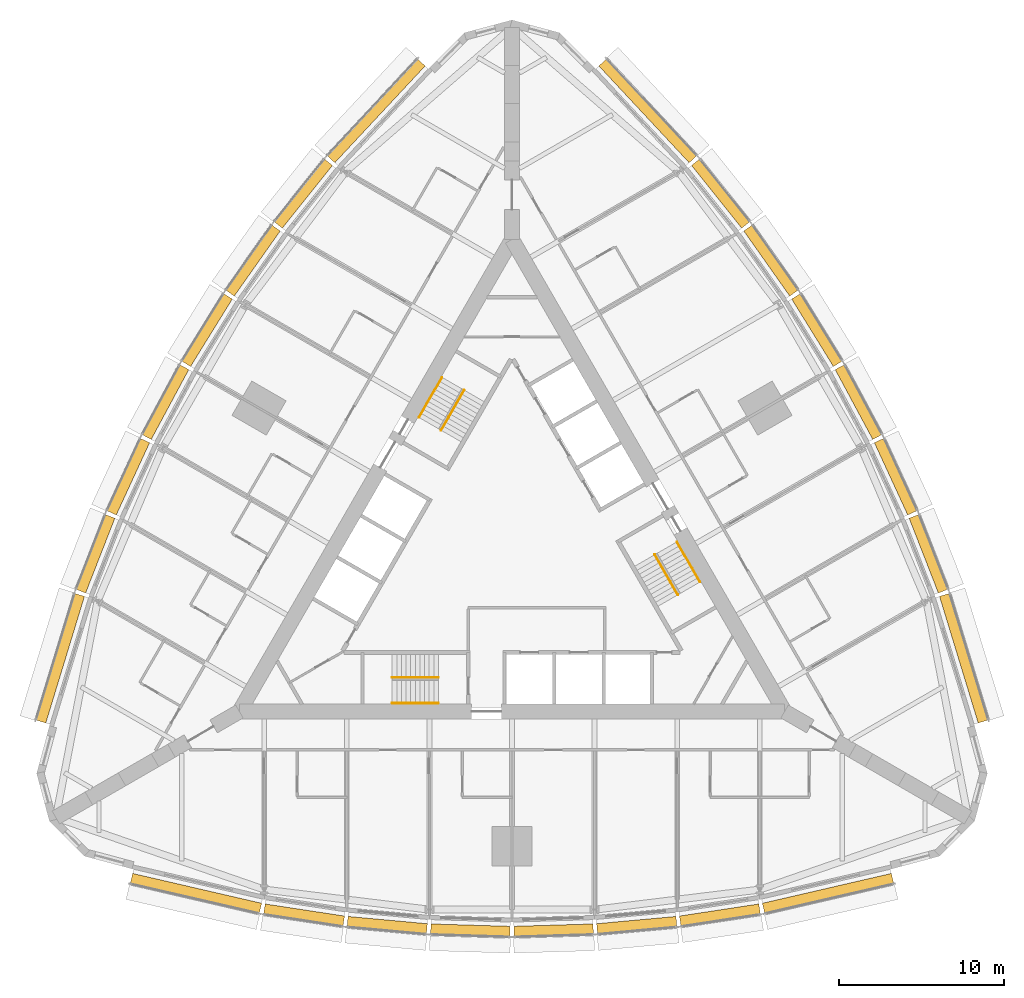
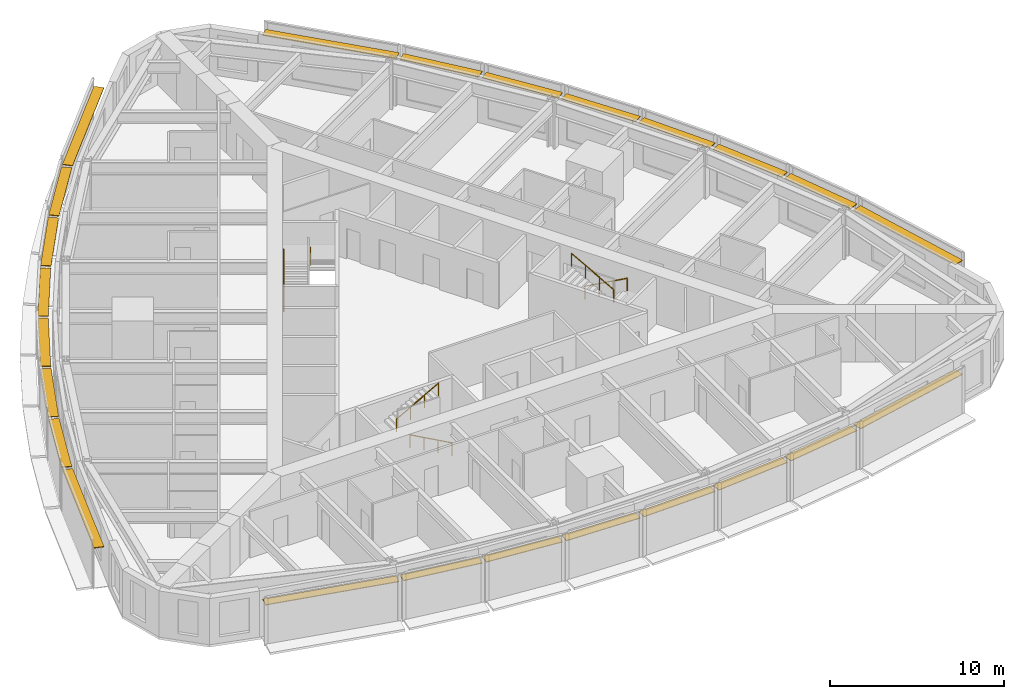
# One storey, part 14 of 14: 24 shading devices, 6 railings.
"""IFC4 building model written with IfcOpenShell, lengths in metres."""

import ifcopenshell
import ifcopenshell.guid

model = None  # the IFC model being written
_history = None  # IfcOwnerHistory: only IFC2X3 demands one
_inside = {}  # id of a spatial element -> (the spatial element, [elements in it])
_under = {}  # id of a project, library or spatial element -> (it, [spatial elements below it])
_declared = {}  # id of a project -> (the project, [libraries it declares])
_typed = {}  # id of a type object -> (the type object, [elements of that type])
_made_of = {}  # id of a material, layer set ... -> (it, [elements and type objects made of it])


def new_model(schema):
    """Start an empty IFC model of exactly this schema.

    Asked for "IFC4X3", IfcOpenShell would pick the latest addendum, in which some entities
    have other attributes; the version numbers below select the first issue.
    IFC2X3 requires an IfcOwnerHistory on every rooted entity: one is made here for all.
    """
    global model, _history
    if schema == "IFC4X3":
        model = ifcopenshell.file(schema_version=(4, 3, 0, 0))
    else:
        model = ifcopenshell.file(schema=schema)
    _inside.clear()
    _under.clear()
    _declared.clear()
    _typed.clear()
    _made_of.clear()
    _history = None
    if model.schema == "IFC2X3":
        org = make("IfcOrganization", Name="unknown")
        user = make(
            "IfcPersonAndOrganization",
            ThePerson=make("IfcPerson", FamilyName="unknown"),
            TheOrganization=org,
        )
        app = make(
            "IfcApplication",
            ApplicationDeveloper=org,
            Version="unknown",
            ApplicationFullName="unknown",
            ApplicationIdentifier="unknown",
        )
        _history = make(
            "IfcOwnerHistory",
            OwningUser=user,
            OwningApplication=app,
            ChangeAction="ADDED",
            CreationDate=0,
        )
    return model


def make(cls, **values):
    """One entity of the class cls with the attributes given. An attribute that is None is left unset."""
    return model.create_entity(
        cls, **{name: value for name, value in values.items() if value is not None}
    )


def rooted(cls, **values):
    """An entity with a GlobalId (a new one), such as an element, a storey or a relation."""
    return make(cls, GlobalId=ifcopenshell.guid.new(), OwnerHistory=_history, **values)


def si_unit(unit_type, name, prefix=None):
    """IfcSIUnit, for example si_unit("LENGTHUNIT", "METRE", prefix="MILLI")."""
    return make("IfcSIUnit", UnitType=unit_type, Prefix=prefix, Name=name)


def assignment(units):
    """IfcUnitAssignment: the units of a project."""
    return None if units is None else make("IfcUnitAssignment", Units=units)


def point(xyz):
    """IfcCartesianPoint."""
    return None if xyz is None else make("IfcCartesianPoint", Coordinates=xyz)


def direction(xyz):
    """IfcDirection."""
    return None if xyz is None else make("IfcDirection", DirectionRatios=xyz)


def frame(location, z_axis=None, x_axis=None):
    """IfcAxis2Placement3D, a coordinate frame: its origin and axes. An axis left out is left unset."""
    return make(
        "IfcAxis2Placement3D",
        Location=point(location),
        Axis=direction(z_axis),
        RefDirection=direction(x_axis),
    )


def frame_2d(location, x_axis=None):
    """IfcAxis2Placement2D, a coordinate frame in the plane: its origin and x axis."""
    return make(
        "IfcAxis2Placement2D", Location=point(location), RefDirection=direction(x_axis)
    )


def origin():
    """The frame at (0, 0, 0) with its axes left unset."""
    return frame((0.0, 0.0, 0.0))


def origin_2d():
    """The frame at (0, 0) in the plane with its x axis left unset."""
    return frame_2d((0.0, 0.0))


def place(relative_to, where):
    """IfcLocalPlacement: puts the frame where relative to a parent placement (None: the world)."""
    return make(
        "IfcLocalPlacement", PlacementRelTo=relative_to, RelativePlacement=where
    )


def context(
    kind, dimensions, precision=None, world=None, true_north=None, identifier=None
):
    """IfcGeometricRepresentationContext, for example the 3D "Model" context."""
    return make(
        "IfcGeometricRepresentationContext",
        ContextIdentifier=identifier,
        ContextType=kind,
        CoordinateSpaceDimension=dimensions,
        Precision=precision,
        WorldCoordinateSystem=world,
        TrueNorth=true_north,
    )


def subcontext(parent, identifier, kind, view, scale=None):
    """IfcGeometricRepresentationSubContext, for example "Body" below "Model"."""
    return make(
        "IfcGeometricRepresentationSubContext",
        ContextIdentifier=identifier,
        ContextType=kind,
        ParentContext=parent,
        TargetScale=scale,
        TargetView=view,
    )


def project(units=None, contexts=None):
    """IfcProject with its units and contexts."""
    return rooted(
        "IfcProject",
        Name="project",
        RepresentationContexts=contexts,
        UnitsInContext=assignment(units),
    )


def spatial(cls, under=None, at=None, **own):
    """A site, building, storey or space (cls), placed at a placement, below another one or the project."""
    s = rooted(cls, ObjectPlacement=at, **own)
    if under is not None:
        _under.setdefault(under.id(), (under, []))[1].append(s)
    return s


def profile(cls, at=None, kind="AREA", **sizes):
    """A parametric profile (cls). Its sizes go by their IFC names, for example OverallWidth=200.0."""
    return make(cls, ProfileType=kind, Position=at, **sizes)


def rectangle(**sizes):
    """IfcRectangleProfileDef."""
    return profile("IfcRectangleProfileDef", **sizes)


def circle(**sizes):
    """IfcCircleProfileDef."""
    return profile("IfcCircleProfileDef", **sizes)


def extrude(swept, where, along, depth):
    """IfcExtrudedAreaSolid: the profile swept, set in the frame where, extruded along a direction by depth."""
    return make(
        "IfcExtrudedAreaSolid",
        SweptArea=swept,
        Position=where,
        ExtrudedDirection=direction(along),
        Depth=depth,
    )


def shape(context_of_items, identifier, shape_type, items):
    """IfcShapeRepresentation: the items that make up one representation, for example the "Body"."""
    return make(
        "IfcShapeRepresentation",
        ContextOfItems=context_of_items,
        RepresentationIdentifier=identifier,
        RepresentationType=shape_type,
        Items=items,
    )


def material(Name=None, Category=None):
    """IfcMaterial."""
    return make("IfcMaterial", Name=Name, Category=Category)


def made_of(thing, what):
    """Note that an element or type object is made of a material, layer set ...; save() writes the relation."""
    if what is not None:
        _made_of.setdefault(what.id(), (what, []))[1].append(thing)
    return thing


def type_object(cls, material=None, **own):
    """A type object (cls), such as IfcWallType, which elements share."""
    return made_of(rooted(cls, **own), material)


def element(
    cls,
    number,
    at=None,
    inside=None,
    cuts=None,
    type_object=None,
    material=None,
    context=None,
    identifier="Body",
    shape_type=None,
    held_by="IfcProductDefinitionShape",
    body=None,
    shapes=None,
    **own,
):
    """One element of the class cls, such as IfcWall. Its Tag is "e" and its number.

    at: its placement. inside: the storey or other place that contains it. cuts: it is an
    opening in that element (IfcRelVoidsElement). A single representation is given by context,
    identifier, shape_type and body (its items); several are given by shapes. held_by: the class
    of the entity that holds the representations. save() writes the other relations.
    """
    e = rooted(cls, Tag="e%d" % number, ObjectPlacement=at, **own)
    if body is not None:
        shapes = [shape(context, identifier, shape_type, body)]
    if shapes is not None:
        e.Representation = make(held_by, Representations=shapes)
    if inside is not None:
        _inside.setdefault(inside.id(), (inside, []))[1].append(e)
    if cuts is not None:
        rooted(
            "IfcRelVoidsElement", RelatingBuildingElement=cuts, RelatedOpeningElement=e
        )
    if type_object is not None:
        _typed.setdefault(type_object.id(), (type_object, []))[1].append(e)
    return made_of(e, material)


def aggregate(whole, parts):
    """IfcRelAggregates: a whole, such as a stair, and the parts it consists of."""
    return rooted("IfcRelAggregates", RelatingObject=whole, RelatedObjects=parts)


def save(model, path):
    """Write the relations noted so far, then the file.

    IfcRelAggregates (storeys below a building ...), IfcRelContainedInSpatialStructure (elements
    in a storey), IfcRelDefinesByType, IfcRelAssociatesMaterial and IfcRelDeclares: one each for
    every whole, place, type object, material and project.
    """
    for whole, parts in _under.values():
        aggregate(whole, parts)
    for where, things in _inside.values():
        rooted(
            "IfcRelContainedInSpatialStructure",
            RelatedElements=things,
            RelatingStructure=where,
        )
    for kind, things in _typed.values():
        rooted("IfcRelDefinesByType", RelatedObjects=things, RelatingType=kind)
    for what, things in _made_of.values():
        rooted("IfcRelAssociatesMaterial", RelatedObjects=things, RelatingMaterial=what)
    for by, libraries in _declared.values():
        rooted("IfcRelDeclares", RelatingContext=by, RelatedDefinitions=libraries)
    model.write(path)


model = new_model("IFC4")

# Units and contexts
model_context = context("Model", 3, precision=1e-05, world=origin(), true_north=direction((0.0, 1.0)))
body_context = subcontext(model_context, "Body", "Model", "MODEL_VIEW")
ifc_project = project(units=[si_unit("LENGTHUNIT", "METRE"), si_unit("AREAUNIT", "SQUARE_METRE"), si_unit("VOLUMEUNIT", "CUBIC_METRE"), si_unit("PLANEANGLEUNIT", "RADIAN"), si_unit("MASSUNIT", "GRAM", prefix="KILO")], contexts=[model_context])

# Site, building, storey
site_placement = place(None, origin())
site = spatial("IfcSite", under=ifc_project, at=site_placement, CompositionType="ELEMENT")
building_placement = place(site_placement, origin())
building = spatial("IfcBuilding", under=site, at=building_placement, Name="Trikona Tower", CompositionType="ELEMENT")
storey_placement = place(building_placement, frame((0.0, 0.0, 96.5)))
storey = spatial("IfcBuildingStorey", under=building, at=storey_placement, Name="L25", CompositionType="ELEMENT", Elevation=96.5)

# Shading devices
ifc_material_1 = material(Name="Aluminium louvre blade, pale anodised", Category="aluminium")
shading_device_type = type_object("IfcShadingDeviceType", Name="Cavity louvre 600", PredefinedType="USERDEFINED", material=ifc_material_1)
shading_device_1_placement = place(storey_placement, frame((-19.126220703125, -20.5234375, 2.77490234375), z_axis=(0.0, 0.0, 1.0), x_axis=(0.974277718622, -0.225350675607, 0.0)))
element("IfcShadingDevice", 1, at=shading_device_1_placement, inside=storey, type_object=shading_device_type, Name="Cavity louvre L25-00", ObjectType="LOUVRE", PredefinedType="USERDEFINED", context=body_context, shape_type="SweptSolid", body=[
    extrude(rectangle(XDim=8.01123046875, YDim=0.60009765625, at=origin_2d()), origin(), (0.0, 0.0, 1.0), 0.050048828125),
])
shading_device_2_placement = place(storey_placement, frame((-12.584228515625, -21.837158203125, 2.77490234375), z_axis=(0.0, 0.0, 1.0), x_axis=(0.988617896768, -0.150448177754, 0.0)))
element("IfcShadingDevice", 2, at=shading_device_2_placement, inside=storey, type_object=shading_device_type, Name="Cavity louvre L25-01", ObjectType="LOUVRE", PredefinedType="USERDEFINED", context=body_context, shape_type="SweptSolid", body=[
    extrude(rectangle(XDim=4.857666015625, YDim=0.60009765625, at=origin_2d()), origin(), (0.0, 0.0, 1.0), 0.050048828125),
])
shading_device_3_placement = place(storey_placement, frame((-7.55078125, -22.44970703125, 2.77490234375), z_axis=(0.0, 0.0, 1.0), x_axis=(0.995858098326, -0.090921108655, 0.0)))
element("IfcShadingDevice", 3, at=shading_device_3_placement, inside=storey, type_object=shading_device_type, Name="Cavity louvre L25-02", ObjectType="LOUVRE", PredefinedType="USERDEFINED", context=body_context, shape_type="SweptSolid", body=[
    extrude(rectangle(XDim=4.82080078125, YDim=0.60009765625, at=origin_2d()), origin(), (0.0, 0.0, 1.0), 0.050048828125),
])
for number, where, z_axis, x_axis, name in (
    (4, (-2.51708984375, -22.756103515625, 2.77490234375), (0.0, 0.0, 1.0), (0.999537048889, -0.030425119525, 0.0), "Cavity louvre L25-03"),
    (5, (2.51708984375, -22.756103515625, 2.77490234375), (0.0, 0.0, 1.0), (0.999537048889, 0.030425119525, 0.0), "Cavity louvre L25-04"),
):
    element("IfcShadingDevice", number, at=place(storey_placement, frame(where, z_axis=z_axis, x_axis=x_axis)), inside=storey, type_object=shading_device_type, Name=name, ObjectType="LOUVRE", PredefinedType="USERDEFINED", context=body_context, shape_type="SweptSolid", body=[
        extrude(rectangle(XDim=4.80224609375, YDim=0.60009765625, at=origin_2d()), origin(), (0.0, 0.0, 1.0), 0.050048828125),
    ])
shading_device_4_placement = place(storey_placement, frame((7.55078125, -22.44970703125, 2.77490234375), z_axis=(0.0, 0.0, 1.0), x_axis=(0.995858098326, 0.090921108655, 0.0)))
element("IfcShadingDevice", 6, at=shading_device_4_placement, inside=storey, type_object=shading_device_type, Name="Cavity louvre L25-05", ObjectType="LOUVRE", PredefinedType="USERDEFINED", context=body_context, shape_type="SweptSolid", body=[
    extrude(rectangle(XDim=4.82080078125, YDim=0.60009765625, at=origin_2d()), origin(), (0.0, 0.0, 1.0), 0.050048828125),
])
shading_device_5_placement = place(storey_placement, frame((12.584228515625, -21.837158203125, 2.77490234375), z_axis=(0.0, 0.0, 1.0), x_axis=(0.988617896768, 0.150448177754, 0.0)))
element("IfcShadingDevice", 7, at=shading_device_5_placement, inside=storey, type_object=shading_device_type, Name="Cavity louvre L25-06", ObjectType="LOUVRE", PredefinedType="USERDEFINED", context=body_context, shape_type="SweptSolid", body=[
    extrude(rectangle(XDim=4.857666015625, YDim=0.60009765625, at=origin_2d()), origin(), (0.0, 0.0, 1.0), 0.050048828125),
])
for number, where, z_axis, x_axis, name in (
    (8, (19.126220703125, -20.5234375, 2.77490234375), (0.0, 0.0, 1.0), (0.974277718622, 0.225350675607, 0.0), "Cavity louvre L25-07"),
    (9, (27.3369140625, -6.302001953125, 2.77490234375), (0.0, 0.0, 1.0), (-0.291979449475, 0.956424592471, 0.0), "Cavity louvre L25-12"),
):
    element("IfcShadingDevice", number, at=place(storey_placement, frame(where, z_axis=z_axis, x_axis=x_axis)), inside=storey, type_object=shading_device_type, Name=name, ObjectType="LOUVRE", PredefinedType="USERDEFINED", context=body_context, shape_type="SweptSolid", body=[
        extrude(rectangle(XDim=8.01123046875, YDim=0.60009765625, at=origin_2d()), origin(), (0.0, 0.0, 1.0), 0.050048828125),
    ])
shading_device_6_placement = place(storey_placement, frame((25.20361328125, 0.020263671875, 2.77490234375), z_axis=(0.0, 0.0, 1.0), x_axis=(-0.364008876551, 0.931395478726, 0.0)))
element("IfcShadingDevice", 10, at=shading_device_6_placement, inside=storey, type_object=shading_device_type, Name="Cavity louvre L25-13", ObjectType="LOUVRE", PredefinedType="USERDEFINED", context=body_context, shape_type="SweptSolid", body=[
    extrude(rectangle(XDim=4.857666015625, YDim=0.60009765625, at=origin_2d()), origin(), (0.0, 0.0, 1.0), 0.050048828125),
])
shading_device_7_placement = place(storey_placement, frame((23.217529296875, 4.685546875, 2.77490234375), z_axis=(0.0, 0.0, 1.0), x_axis=(-0.41919381307, 0.907896771161, 0.0)))
element("IfcShadingDevice", 11, at=shading_device_7_placement, inside=storey, type_object=shading_device_type, Name="Cavity louvre L25-14", ObjectType="LOUVRE", PredefinedType="USERDEFINED", context=body_context, shape_type="SweptSolid", body=[
    extrude(rectangle(XDim=4.82080078125, YDim=0.60009765625, at=origin_2d()), origin(), (0.0, 0.0, 1.0), 0.050048828125),
])
for number, where, z_axis, x_axis, name in (
    (12, (20.966064453125, 9.1982421875, 2.77490234375), (0.0, 0.0, 1.0), (-0.473422672721, 0.880835383572, 0.0), "Cavity louvre L25-15"),
    (13, (18.448974609375, 13.557861328125, 2.77490234375), (0.0, 0.0, 1.0), (-0.526118935114, 0.85041099835, 0.0), "Cavity louvre L25-16"),
):
    element("IfcShadingDevice", number, at=place(storey_placement, frame(where, z_axis=z_axis, x_axis=x_axis)), inside=storey, type_object=shading_device_type, Name=name, ObjectType="LOUVRE", PredefinedType="USERDEFINED", context=body_context, shape_type="SweptSolid", body=[
        extrude(rectangle(XDim=4.80224609375, YDim=0.60009765625, at=origin_2d()), origin(), (0.0, 0.0, 1.0), 0.050048828125),
    ])
shading_device_8_placement = place(storey_placement, frame((15.666748046875, 17.76416015625, 2.77490234375), z_axis=(0.0, 0.0, 1.0), x_axis=(-0.576661909499, 0.816982889743, 0.0)))
element("IfcShadingDevice", 14, at=shading_device_8_placement, inside=storey, type_object=shading_device_type, Name="Cavity louvre L25-17", ObjectType="LOUVRE", PredefinedType="USERDEFINED", context=body_context, shape_type="SweptSolid", body=[
    extrude(rectangle(XDim=4.82080078125, YDim=0.60009765625, at=origin_2d()), origin(), (0.0, 0.0, 1.0), 0.050048828125),
])
shading_device_9_placement = place(storey_placement, frame((12.619384765625, 21.81689453125, 2.77490234375), z_axis=(0.0, 0.0, 1.0), x_axis=(-0.624603618277, 0.780941944087, 0.0)))
element("IfcShadingDevice", 15, at=shading_device_9_placement, inside=storey, type_object=shading_device_type, Name="Cavity louvre L25-18", ObjectType="LOUVRE", PredefinedType="USERDEFINED", context=body_context, shape_type="SweptSolid", body=[
    extrude(rectangle(XDim=4.857666015625, YDim=0.60009765625, at=origin_2d()), origin(), (0.0, 0.0, 1.0), 0.050048828125),
])
for number, where, z_axis, x_axis, name in (
    (16, (8.210693359375, 26.825439453125, 2.77490234375), (0.0, 0.0, 1.0), (-0.682298269147, 0.731073916864, 0.0), "Cavity louvre L25-19"),
    (17, (-8.210693359375, 26.825439453125, 2.77490234375), (0.0, 0.0, 1.0), (-0.682298269147, -0.731073916864, 0.0), "Cavity louvre L25-24"),
):
    element("IfcShadingDevice", number, at=place(storey_placement, frame(where, z_axis=z_axis, x_axis=x_axis)), inside=storey, type_object=shading_device_type, Name=name, ObjectType="LOUVRE", PredefinedType="USERDEFINED", context=body_context, shape_type="SweptSolid", body=[
        extrude(rectangle(XDim=8.01123046875, YDim=0.60009765625, at=origin_2d()), origin(), (0.0, 0.0, 1.0), 0.050048828125),
    ])
shading_device_10_placement = place(storey_placement, frame((-12.619384765625, 21.81689453125, 2.77490234375), z_axis=(0.0, 0.0, 1.0), x_axis=(-0.624603618277, -0.780941944087, 0.0)))
element("IfcShadingDevice", 18, at=shading_device_10_placement, inside=storey, type_object=shading_device_type, Name="Cavity louvre L25-25", ObjectType="LOUVRE", PredefinedType="USERDEFINED", context=body_context, shape_type="SweptSolid", body=[
    extrude(rectangle(XDim=4.857666015625, YDim=0.60009765625, at=origin_2d()), origin(), (0.0, 0.0, 1.0), 0.050048828125),
])
shading_device_11_placement = place(storey_placement, frame((-15.666748046875, 17.76416015625, 2.77490234375), z_axis=(0.0, 0.0, 1.0), x_axis=(-0.576661909499, -0.816982889743, 0.0)))
element("IfcShadingDevice", 19, at=shading_device_11_placement, inside=storey, type_object=shading_device_type, Name="Cavity louvre L25-26", ObjectType="LOUVRE", PredefinedType="USERDEFINED", context=body_context, shape_type="SweptSolid", body=[
    extrude(rectangle(XDim=4.82080078125, YDim=0.60009765625, at=origin_2d()), origin(), (0.0, 0.0, 1.0), 0.050048828125),
])
for number, where, z_axis, x_axis, name in (
    (20, (-18.448974609375, 13.557861328125, 2.77490234375), (0.0, 0.0, 1.0), (-0.526118935114, -0.85041099835, 0.0), "Cavity louvre L25-27"),
    (21, (-20.966064453125, 9.1982421875, 2.77490234375), (0.0, 0.0, 1.0), (-0.473422672721, -0.880835383572, 0.0), "Cavity louvre L25-28"),
):
    element("IfcShadingDevice", number, at=place(storey_placement, frame(where, z_axis=z_axis, x_axis=x_axis)), inside=storey, type_object=shading_device_type, Name=name, ObjectType="LOUVRE", PredefinedType="USERDEFINED", context=body_context, shape_type="SweptSolid", body=[
        extrude(rectangle(XDim=4.80224609375, YDim=0.60009765625, at=origin_2d()), origin(), (0.0, 0.0, 1.0), 0.050048828125),
    ])
shading_device_12_placement = place(storey_placement, frame((-23.217529296875, 4.685546875, 2.77490234375), z_axis=(0.0, 0.0, 1.0), x_axis=(-0.41919381307, -0.907896771161, 0.0)))
element("IfcShadingDevice", 22, at=shading_device_12_placement, inside=storey, type_object=shading_device_type, Name="Cavity louvre L25-29", ObjectType="LOUVRE", PredefinedType="USERDEFINED", context=body_context, shape_type="SweptSolid", body=[
    extrude(rectangle(XDim=4.82080078125, YDim=0.60009765625, at=origin_2d()), origin(), (0.0, 0.0, 1.0), 0.050048828125),
])
shading_device_13_placement = place(storey_placement, frame((-25.20361328125, 0.020263671875, 2.77490234375), z_axis=(0.0, 0.0, 1.0), x_axis=(-0.364008876551, -0.931395478726, 0.0)))
element("IfcShadingDevice", 23, at=shading_device_13_placement, inside=storey, type_object=shading_device_type, Name="Cavity louvre L25-30", ObjectType="LOUVRE", PredefinedType="USERDEFINED", context=body_context, shape_type="SweptSolid", body=[
    extrude(rectangle(XDim=4.857666015625, YDim=0.60009765625, at=origin_2d()), origin(), (0.0, 0.0, 1.0), 0.050048828125),
])
shading_device_14_placement = place(storey_placement, frame((-27.3369140625, -6.302001953125, 2.77490234375), z_axis=(0.0, 0.0, 1.0), x_axis=(-0.291979449475, -0.956424592471, 0.0)))
element("IfcShadingDevice", 24, at=shading_device_14_placement, inside=storey, type_object=shading_device_type, Name="Cavity louvre L25-31", ObjectType="LOUVRE", PredefinedType="USERDEFINED", context=body_context, shape_type="SweptSolid", body=[
    extrude(rectangle(XDim=8.01123046875, YDim=0.60009765625, at=origin_2d()), origin(), (0.0, 0.0, 1.0), 0.050048828125),
])

# Railings
ifc_material_2 = material(Name="Stainless steel handrail", Category="steel")
railing_type = type_object("IfcRailingType", Name="Stair handrail", PredefinedType="HANDRAIL", material=ifc_material_2)
railing_1_placement = place(storey_placement, frame((-4.449951171875, -9.016357421875, 0.154541015625)))
element("IfcRailing", 25, at=railing_1_placement, inside=storey, type_object=railing_type, Name="Stair handrail A L25 1", PredefinedType="HANDRAIL", context=body_context, shape_type="SweptSolid", body=[
    extrude(circle(Radius=0.02392578125, at=origin_2d()), frame((0.0, 0.0, 0.8759765625), z_axis=(-0.875504190374, 0.0, 0.483210526207), x_axis=(0.0, -1.0, 0.0)), (0.0, 0.0, 1.0), 3.1982421875),
    extrude(circle(Radius=0.02099609375, at=origin_2d()), origin(), (0.0, 0.0, 1.0), 0.851806640625),
    extrude(circle(Radius=0.02099609375, at=origin_2d()), frame((-0.933349609375, 0.0, 0.51513671875)), (0.0, 0.0, 1.0), 0.851806640625),
    extrude(circle(Radius=0.02099609375, at=origin_2d()), frame((-1.86669921875, 0.0, 1.0302734375)), (0.0, 0.0, 1.0), 0.851806640625),
    extrude(circle(Radius=0.02099609375, at=origin_2d()), frame((-2.800048828125, 0.0, 1.54541015625)), (0.0, 0.0, 1.0), 0.851806640625),
])
railing_2_placement = place(storey_placement, frame((-7.25, -7.46630859375, 1.8544921875)))
element("IfcRailing", 26, at=railing_2_placement, inside=storey, type_object=railing_type, Name="Stair handrail A L25 2", PredefinedType="HANDRAIL", context=body_context, shape_type="SweptSolid", body=[
    extrude(circle(Radius=0.02392578125, at=origin_2d()), frame((0.0, 0.0, 0.8759765625), z_axis=(0.875504190374, 0.0, 0.483210526207), x_axis=(0.0, 1.0, 0.0)), (0.0, 0.0, 1.0), 3.1982421875),
    extrude(circle(Radius=0.02099609375, at=origin_2d()), origin(), (0.0, 0.0, 1.0), 0.851806640625),
    extrude(circle(Radius=0.02099609375, at=origin_2d()), frame((0.933349609375, 0.0, 0.51513671875)), (0.0, 0.0, 1.0), 0.851806640625),
    extrude(circle(Radius=0.02099609375, at=origin_2d()), frame((1.86669921875, 0.0, 1.0302734375)), (0.0, 0.0, 1.0), 0.851806640625),
    extrude(circle(Radius=0.02099609375, at=origin_2d()), frame((2.800048828125, 0.0, 1.54541015625)), (0.0, 0.0, 1.0), 0.851806640625),
])
railing_3_placement = place(storey_placement, frame((9.9833984375, 0.740966796875, 0.154541015625)))
element("IfcRailing", 27, at=railing_3_placement, inside=storey, type_object=railing_type, Name="Stair handrail B L25 1", PredefinedType="HANDRAIL", context=body_context, shape_type="SweptSolid", body=[
    extrude(circle(Radius=0.02392578125, at=origin_2d()), frame((0.0, 0.0, 0.8759765625), z_axis=(0.437707188162, -0.758239536103, 0.483203087036), x_axis=(0.866056369097, 0.49994636267, 0.0)), (0.0, 0.0, 1.0), 3.1982421875),
    extrude(circle(Radius=0.02099609375, at=origin_2d()), origin(), (0.0, 0.0, 1.0), 0.851806640625),
    extrude(circle(Radius=0.02099609375, at=origin_2d()), frame((0.466552734375, -0.808349609375, 0.51513671875)), (0.0, 0.0, 1.0), 0.851806640625),
    extrude(circle(Radius=0.02099609375, at=origin_2d()), frame((0.933349609375, -1.61669921875, 1.0302734375)), (0.0, 0.0, 1.0), 0.851806640625),
    extrude(circle(Radius=0.02099609375, at=origin_2d()), frame((1.39990234375, -2.425048828125, 1.54541015625)), (0.0, 0.0, 1.0), 0.851806640625),
])
railing_4_placement = place(storey_placement, frame((10.041015625, -2.458984375, 1.8544921875)))
element("IfcRailing", 28, at=railing_4_placement, inside=storey, type_object=railing_type, Name="Stair handrail B L25 2", PredefinedType="HANDRAIL", context=body_context, shape_type="SweptSolid", body=[
    extrude(circle(Radius=0.02392578125, at=origin_2d()), frame((0.0, 0.0, 0.8759765625), z_axis=(-0.437707188162, 0.758239536103, 0.483203087036), x_axis=(-0.866056369097, -0.49994636267, 0.0)), (0.0, 0.0, 1.0), 3.1982421875),
    extrude(circle(Radius=0.02099609375, at=origin_2d()), origin(), (0.0, 0.0, 1.0), 0.851806640625),
    extrude(circle(Radius=0.02099609375, at=origin_2d()), frame((-0.466552734375, 0.808349609375, 0.51513671875)), (0.0, 0.0, 1.0), 0.851806640625),
    extrude(circle(Radius=0.02099609375, at=origin_2d()), frame((-0.933349609375, 1.61669921875, 1.0302734375)), (0.0, 0.0, 1.0), 0.851806640625),
    extrude(circle(Radius=0.02099609375, at=origin_2d()), frame((-1.39990234375, 2.425048828125, 1.54541015625)), (0.0, 0.0, 1.0), 0.851806640625),
])
railing_5_placement = place(storey_placement, frame((-5.63330078125, 8.275390625, 0.154541015625)))
element("IfcRailing", 29, at=railing_5_placement, inside=storey, type_object=railing_type, Name="Stair handrail C L25 1", PredefinedType="HANDRAIL", context=body_context, shape_type="SweptSolid", body=[
    extrude(circle(Radius=0.02392578125, at=origin_2d()), frame((0.0, 0.0, 0.8759765625), z_axis=(0.437732523806, 0.758207085183, 0.483231056102), x_axis=(-0.866034573852, 0.49998411664, 0.0)), (0.0, 0.0, 1.0), 3.197998046875),
    extrude(circle(Radius=0.02099609375, at=origin_2d()), origin(), (0.0, 0.0, 1.0), 0.851806640625),
    extrude(circle(Radius=0.02099609375, at=origin_2d()), frame((0.466552734375, 0.808349609375, 0.51513671875)), (0.0, 0.0, 1.0), 0.851806640625),
    extrude(circle(Radius=0.02099609375, at=origin_2d()), frame((0.933349609375, 1.616455078125, 1.0302734375)), (0.0, 0.0, 1.0), 0.851806640625),
    extrude(circle(Radius=0.02099609375, at=origin_2d()), frame((1.39990234375, 2.4248046875, 1.54541015625)), (0.0, 0.0, 1.0), 0.851806640625),
])
railing_6_placement = place(storey_placement, frame((-2.89111328125, 9.92529296875, 1.8544921875)))
element("IfcRailing", 30, at=railing_6_placement, inside=storey, type_object=railing_type, Name="Stair handrail C L25 2", PredefinedType="HANDRAIL", context=body_context, shape_type="SweptSolid", body=[
    extrude(circle(Radius=0.02392578125, at=origin_2d()), frame((0.0, 0.0, 0.8759765625), z_axis=(-0.437707188162, -0.758239536103, 0.483203087036), x_axis=(0.866056369097, -0.49994636267, 0.0)), (0.0, 0.0, 1.0), 3.1982421875),
    extrude(circle(Radius=0.02099609375, at=origin_2d()), origin(), (0.0, 0.0, 1.0), 0.851806640625),
    extrude(circle(Radius=0.02099609375, at=origin_2d()), frame((-0.466552734375, -0.808349609375, 0.51513671875)), (0.0, 0.0, 1.0), 0.851806640625),
    extrude(circle(Radius=0.02099609375, at=origin_2d()), frame((-0.933349609375, -1.61669921875, 1.0302734375)), (0.0, 0.0, 1.0), 0.851806640625),
    extrude(circle(Radius=0.02099609375, at=origin_2d()), frame((-1.39990234375, -2.425048828125, 1.54541015625)), (0.0, 0.0, 1.0), 0.851806640625),
])

save(model, "model.ifc")
